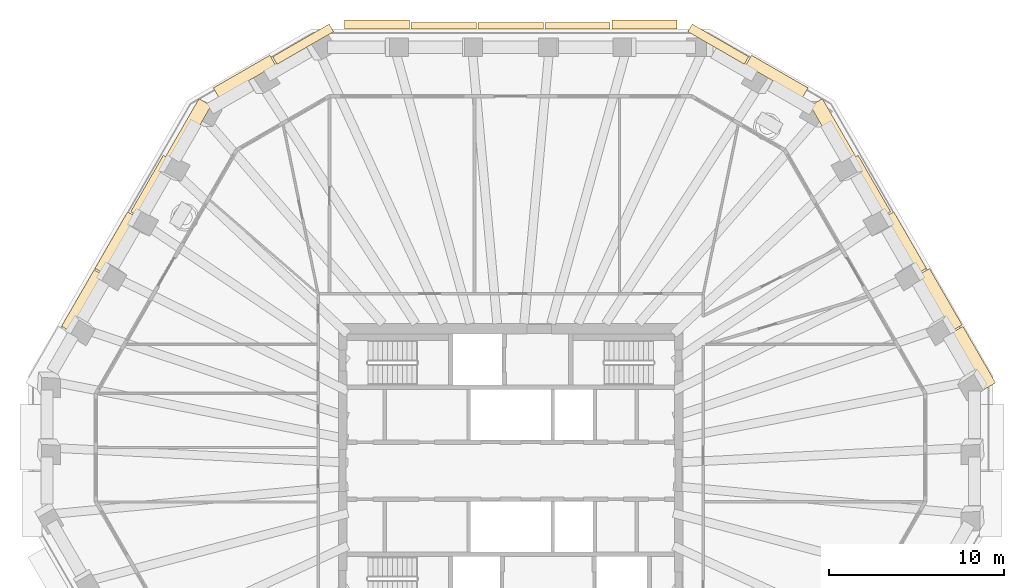
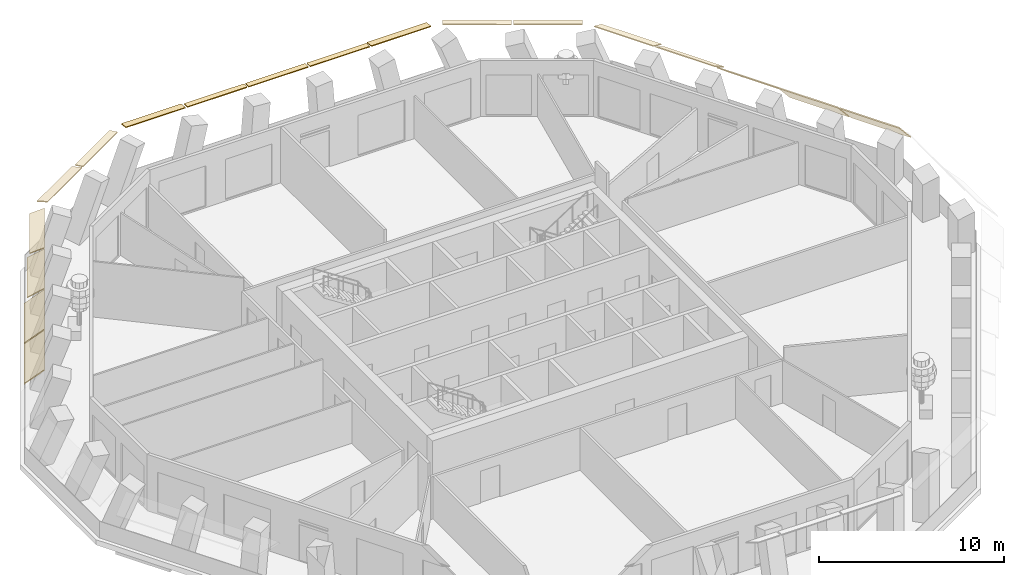
# One storey, part 10 of 12: 18 coverings.
"""IFC4 building model written with IfcOpenShell, lengths in metres."""

from ifc_helpers import new_model, si_unit, direction, frame, origin, place, context, subcontext, project, spatial, polyline, outline, extrude, material, layer, layer_set, type_object, element, save


model = new_model("IFC4")

# Units and contexts
model_context = context("Model", 3, precision=1e-05, world=origin(), true_north=direction((0.0, 1.0)))
body_context = subcontext(model_context, "Body", "Model", "MODEL_VIEW")
ifc_project = project(units=[si_unit("LENGTHUNIT", "METRE"), si_unit("AREAUNIT", "SQUARE_METRE"), si_unit("VOLUMEUNIT", "CUBIC_METRE"), si_unit("PLANEANGLEUNIT", "RADIAN"), si_unit("MASSUNIT", "GRAM", prefix="KILO")], contexts=[model_context])

# Site, building, storey
site_placement = place(None, origin())
site = spatial("IfcSite", under=ifc_project, at=site_placement, CompositionType="ELEMENT")
building_placement = place(site_placement, origin())
building = spatial("IfcBuilding", under=site, at=building_placement, Name="Frailejon Research Tower", CompositionType="ELEMENT")
storey_placement = place(building_placement, frame((0.0, 0.0, 253.39990234375)))
storey = spatial("IfcBuildingStorey", under=building, at=storey_placement, Name="L55", CompositionType="ELEMENT", Elevation=253.39990234375)

# Coverings
ifc_material_1 = material(Name="Precast concrete C50/60", Category="concrete")
ifc_layer_1 = layer(ifc_material_1, 0.06005859375)
ifc_layer_set_1 = layer_set([ifc_layer_1], Name="Brim blade depth 1100")
covering_type_1 = type_object("IfcCoveringType", Name="Brim blade depth 1100", PredefinedType="CLADDING", material=ifc_layer_set_1)
for number, where, z_axis, x_axis, name in (
    (1, (20.936767578125, 14.236328125, 3.85009765625), (0.4999837137, -0.86603480648, 0.0), (0.86603480648, 0.4999837137, 0.0), "Brim blade L55"),
    (2, (-22.79736328125, 11.013671875, 3.85009765625), (0.4999837137, 0.86603480648, 0.0), (-0.86603480648, 0.4999837137, 0.0), "Brim blade L55"),
    (3, (-24.7080078125, 7.704345703125, 3.85009765625), (0.500014671885, 0.866016932802, 0.0), (-0.866016932802, 0.500014671885, 0.0), "Brim blade L55"),
):
    element("IfcCovering", number, at=place(storey_placement, frame(where, z_axis=z_axis, x_axis=x_axis)), inside=storey, type_object=covering_type_1, Name=name, PredefinedType="CLADDING", context=body_context, shape_type="SweptSolid", body=[
        extrude(outline(polyline([(0.0, -0.078369140625), (1.10009765625, -1.001220703125), (1.10009765625, -0.923095703125), (0.0, 0.0), (0.0, -0.078369140625)])), origin(), (0.0, 0.0, 1.0), 3.72119140625),
    ])
ifc_material_2 = material(Name="Precast concrete C50/60", Category="concrete")
ifc_layer_2 = layer(ifc_material_2, 0.06005859375)
ifc_layer_set_2 = layer_set([ifc_layer_2], Name="Brim blade depth 1250")
covering_type_2 = type_object("IfcCoveringType", Name="Brim blade depth 1250", PredefinedType="CLADDING", material=ifc_layer_set_2)
for number, where, z_axis, x_axis, name in (
    (4, (24.758056640625, 7.61767578125, 3.85009765625), (0.499995044799, -0.866028264652, 0.0), (0.866028264652, 0.499995044799, 0.0), "Brim blade L55"),
    (5, (22.847412109375, 10.927001953125, 3.85009765625), (0.500014671885, -0.866016932802, 0.0), (0.866016932802, 0.500014671885, 0.0), "Brim blade L55"),
):
    element("IfcCovering", number, at=place(storey_placement, frame(where, z_axis=z_axis, x_axis=x_axis)), inside=storey, type_object=covering_type_2, Name=name, PredefinedType="CLADDING", context=body_context, shape_type="SweptSolid", body=[
        extrude(outline(polyline([(0.0, -0.0888671875), (1.25, -1.452880859375), (1.25, -1.364013671875), (0.0, 0.0), (0.0, -0.0888671875)])), origin(), (0.0, 0.0, 1.0), 3.72119140625),
    ])
ifc_material_3 = material(Name="Precast concrete C50/60", Category="concrete")
ifc_layer_3 = layer(ifc_material_3, 0.06005859375)
ifc_layer_set_3 = layer_set([ifc_layer_3], Name="Brim blade depth 350")
covering_type_3 = type_object("IfcCoveringType", Name="Brim blade depth 350", PredefinedType="CLADDING", material=ifc_layer_set_3)
for number, where, z_axis, x_axis, name in (
    (6, (1.960693359375, 25.25, 3.85009765625), (1.0, 0.0, 0.0), (0.0, 1.0, 0.0), "Brim blade L55"),
    (7, (-1.860595703125, 25.25, 3.85009765625), (1.0, 0.0, 0.0), (0.0, 1.0, 0.0), "Brim blade L55"),
    (8, (-5.681884765625, 25.25, 3.85009765625), (1.0, 0.0, 0.0), (0.0, 1.0, 0.0), "Brim blade L55"),
):
    element("IfcCovering", number, at=place(storey_placement, frame(where, z_axis=z_axis, x_axis=x_axis)), inside=storey, type_object=covering_type_3, Name=name, PredefinedType="CLADDING", context=body_context, shape_type="SweptSolid", body=[
        extrude(outline(polyline([(0.0, -0.06005859375), (0.35009765625, -0.06005859375), (0.35009765625, 0.0), (0.0, 0.0), (0.0, -0.06005859375)])), origin(), (0.0, 0.0, 1.0), 3.72119140625),
    ])
ifc_material_4 = material(Name="Precast concrete C50/60", Category="concrete")
ifc_layer_4 = layer(ifc_material_4, 0.06005859375)
ifc_layer_set_4 = layer_set([ifc_layer_4], Name="Brim blade depth 500")
covering_type_4 = type_object("IfcCoveringType", Name="Brim blade depth 500", PredefinedType="CLADDING", material=ifc_layer_set_4)
covering_1_placement = place(storey_placement, frame((10.12158203125, 25.084228515625, 3.85009765625), z_axis=(0.866018477835, -0.500011995905, 0.0), x_axis=(0.500011995905, 0.866018477835, 0.0)))
element("IfcCovering", 9, at=covering_1_placement, inside=storey, type_object=covering_type_4, Name="Brim blade L55", PredefinedType="CLADDING", context=body_context, shape_type="SweptSolid", body=[
    extrude(outline(polyline([(0.0, -0.060546875), (0.5, -0.130859375), (0.5, -0.0703125), (0.0, 0.0), (0.0, -0.060546875)])), origin(), (0.0, 0.0, 1.0), 3.726806640625),
])
for number, where, z_axis, x_axis, name in (
    (10, (5.781982421875, 25.25, 3.85009765625), (1.0, 0.0, 0.0), (0.0, 1.0, 0.0), "Brim blade L55"),
    (11, (-9.503173828125, 25.25, 3.85009765625), (1.0, 0.0, 0.0), (0.0, 1.0, 0.0), "Brim blade L55"),
):
    element("IfcCovering", number, at=place(storey_placement, frame(where, z_axis=z_axis, x_axis=x_axis)), inside=storey, type_object=covering_type_4, Name=name, PredefinedType="CLADDING", context=body_context, shape_type="SweptSolid", body=[
        extrude(outline(polyline([(0.0, -0.060546875), (0.5, -0.130859375), (0.5, -0.0703125), (0.0, 0.0), (0.0, -0.060546875)])), origin(), (0.0, 0.0, 1.0), 3.72119140625),
    ])
covering_2_placement = place(storey_placement, frame((-13.348876953125, 23.220947265625, 3.85009765625), z_axis=(0.866018477835, 0.500011995905, 0.0), x_axis=(-0.500011995905, 0.866018477835, 0.0)))
element("IfcCovering", 12, at=covering_2_placement, inside=storey, type_object=covering_type_4, Name="Brim blade L55", PredefinedType="CLADDING", context=body_context, shape_type="SweptSolid", body=[
    extrude(outline(polyline([(0.0, -0.060546875), (0.5, -0.130859375), (0.5, -0.0703125), (0.0, 0.0), (0.0, -0.060546875)])), origin(), (0.0, 0.0, 1.0), 3.726806640625),
])
ifc_material_5 = material(Name="Precast concrete C50/60", Category="concrete")
ifc_layer_5 = layer(ifc_material_5, 0.06005859375)
ifc_layer_set_5 = layer_set([ifc_layer_5], Name="Brim blade depth 650")
covering_type_5 = type_object("IfcCoveringType", Name="Brim blade depth 650", PredefinedType="CLADDING", material=ifc_layer_set_5)
for number, where, z_axis, x_axis, name in (
    (13, (13.435546875, 23.1708984375, 3.85009765625), (0.866029793251, -0.499992397145, 0.0), (0.499992397145, 0.866029793251, 0.0), "Brim blade L55"),
    (14, (-16.662841796875, 21.3076171875, 3.85009765625), (0.866029793251, 0.499992397145, 0.0), (-0.499992397145, 0.866029793251, 0.0), "Brim blade L55"),
):
    element("IfcCovering", number, at=place(storey_placement, frame(where, z_axis=z_axis, x_axis=x_axis)), inside=storey, type_object=covering_type_5, Name=name, PredefinedType="CLADDING", context=body_context, shape_type="SweptSolid", body=[
        extrude(outline(polyline([(0.0, -0.0625), (0.64990234375, -0.248779296875), (0.64990234375, -0.186279296875), (0.0, 0.0), (0.0, -0.0625)])), origin(), (0.0, 0.0, 1.0), 3.726806640625),
    ])
ifc_material_6 = material(Name="Precast concrete C50/60", Category="concrete")
ifc_layer_6 = layer(ifc_material_6, 0.06005859375)
ifc_layer_set_6 = layer_set([ifc_layer_6], Name="Brim blade depth 800")
covering_type_6 = type_object("IfcCoveringType", Name="Brim blade depth 800", PredefinedType="CLADDING", material=ifc_layer_set_6)
for number, where, z_axis, x_axis, name in (
    (15, (17.115478515625, 20.85498046875, 3.85009765625), (0.500014671885, -0.866016932802, 0.0), (0.866016932802, 0.500014671885, 0.0), "Brim blade L55"),
    (16, (-18.976318359375, 17.63232421875, 3.85009765625), (0.500014671885, 0.866016932802, 0.0), (-0.866016932802, 0.500014671885, 0.0), "Brim blade L55"),
):
    element("IfcCovering", number, at=place(storey_placement, frame(where, z_axis=z_axis, x_axis=x_axis)), inside=storey, type_object=covering_type_6, Name=name, PredefinedType="CLADDING", context=body_context, shape_type="SweptSolid", body=[
        extrude(outline(polyline([(0.0, -0.065673828125), (0.800048828125, -0.421875), (0.800048828125, -0.356201171875), (0.0, 0.0), (0.0, -0.065673828125)])), origin(), (0.0, 0.0, 1.0), 3.72119140625),
    ])
ifc_material_7 = material(Name="Precast concrete C50/60", Category="concrete")
ifc_layer_7 = layer(ifc_material_7, 0.06005859375)
ifc_layer_set_7 = layer_set([ifc_layer_7], Name="Brim blade depth 950")
covering_type_7 = type_object("IfcCoveringType", Name="Brim blade depth 950", PredefinedType="CLADDING", material=ifc_layer_set_7)
for number, where, z_axis, x_axis, name in (
    (17, (19.026123046875, 17.545654296875, 3.85009765625), (0.499995044799, -0.866028264652, 0.0), (0.866028264652, 0.499995044799, 0.0), "Brim blade L55"),
    (18, (-20.88671875, 14.322998046875, 3.85009765625), (0.499995044799, 0.866028264652, 0.0), (-0.866028264652, 0.499995044799, 0.0), "Brim blade L55"),
):
    element("IfcCovering", number, at=place(storey_placement, frame(where, z_axis=z_axis, x_axis=x_axis)), inside=storey, type_object=covering_type_7, Name=name, PredefinedType="CLADDING", context=body_context, shape_type="SweptSolid", body=[
        extrude(outline(polyline([(0.0, -0.07080078125), (0.949951171875, -0.664306640625), (0.949951171875, -0.593505859375), (0.0, 0.0), (0.0, -0.07080078125)])), origin(), (0.0, 0.0, 1.0), 3.72119140625),
    ])

save(model, "model.ifc")
